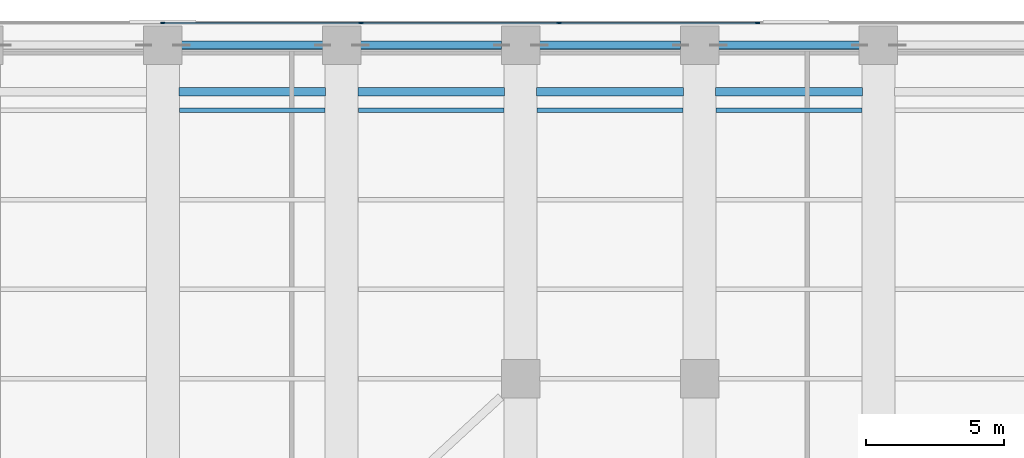
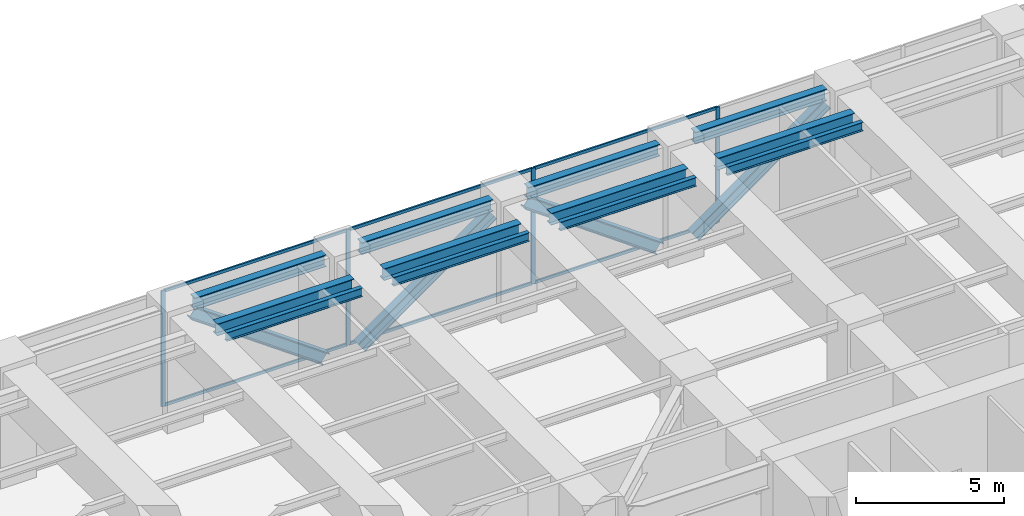
# One storey, part 12 of 31: 14 members, 12 beams, 1 element without a shape of its own.
"""IFC4 building model written with IfcOpenShell, lengths in metres."""

from ifc_helpers import new_model, si_unit, direction, frame, origin, origin_2d, place, context, subcontext, project, spatial, rectangle, i_section, extrude, material, layer, layer_set, material_profile, profile_set, type_object, element, aggregate, save


model = new_model("IFC4")

# Units and contexts
model_context = context("Model", 3, precision=1e-05, world=origin(), true_north=direction((0.0, 1.0)))
body_context = subcontext(model_context, "Body", "Model", "MODEL_VIEW")
ifc_project = project(units=[si_unit("LENGTHUNIT", "METRE"), si_unit("AREAUNIT", "SQUARE_METRE"), si_unit("VOLUMEUNIT", "CUBIC_METRE"), si_unit("PLANEANGLEUNIT", "RADIAN"), si_unit("MASSUNIT", "GRAM", prefix="KILO")], contexts=[model_context])

# Site, building, storey
site_placement = place(None, origin())
site = spatial("IfcSite", under=ifc_project, at=site_placement, CompositionType="ELEMENT")
building_placement = place(site_placement, origin())
building = spatial("IfcBuilding", under=site, at=building_placement, Name="Putna Gate Headquarters", CompositionType="ELEMENT")
storey_placement = place(building_placement, frame((0.0, 0.0, 81.0)))
storey = spatial("IfcBuildingStorey", under=building, at=storey_placement, Name="L19", CompositionType="ELEMENT", Elevation=81.0)

# Beams
ifc_material_1 = material(Name="Steel S355J2", Category="steel")
ifc_material_profile_1 = material_profile(ifc_material_1, i_section(OverallWidth=0.169921875, OverallDepth=0.360107421875, WebThickness=0.008056640625, FlangeThickness=0.0126953125, at=origin_2d()), Name="Steel S355J2")
ifc_profile_set_1 = profile_set([ifc_material_profile_1], Name="Steel S355J2")
beam_type_1 = type_object("IfcBeamType", Name="BM-SEC-Z2-IPE360", PredefinedType="BEAM", material=ifc_profile_set_1)
for number, where, z_axis, x_axis, name in (
    (1, (39.60400390625, 48.75, 4.5849609375), (1.0, 0.0, 0.0), (0.0, 1.0, 0.0), "L19 North Secondary Beam 6"),
    (2, (46.10400390625, 48.75, 4.5849609375), (1.0, 0.0, 0.0), (0.0, 1.0, 0.0), "L19 North Secondary Beam 7"),
    (3, (52.60400390625, 48.75, 4.5849609375), (1.0, 0.0, 0.0), (0.0, 1.0, 0.0), "L19 North Secondary Beam 8"),
    (4, (59.10400390625, 48.75, 4.5849609375), (1.0, 0.0, 0.0), (0.0, 1.0, 0.0), "L19 North Secondary Beam 9"),
):
    element("IfcBeam", number, at=place(storey_placement, frame(where, z_axis=z_axis, x_axis=x_axis)), inside=storey, type_object=beam_type_1, Name=name, PredefinedType="BEAM", context=body_context, shape_type="SweptSolid", body=[
        extrude(i_section(OverallWidth=0.169921875, OverallDepth=0.360107421875, WebThickness=0.008056640625, FlangeThickness=0.0126953125, at=origin_2d()), origin(), (0.0, 0.0, 1.0), 5.2919921875),
    ])
ifc_material_profile_2 = material_profile(ifc_material_1, i_section(OverallWidth=0.300048828125, OverallDepth=0.489990234375, WebThickness=0.011962890625, FlangeThickness=0.02294921875, at=origin_2d()), Name="Steel S355J2")
ifc_profile_set_2 = profile_set([ifc_material_profile_2], Name="Steel S355J2")
beam_type_2 = type_object("IfcBeamType", Name="BM-SPAN-Z2-HEA500", PredefinedType="SPANDREL", material=ifc_profile_set_2)
for number, where, z_axis, x_axis, name in (
    (5, (39.68798828125, 51.1201171875, 4.52001953125), (1.0, 0.0, 0.0), (0.0, 1.0, 0.0), "L19 N Perimeter Spandrel 6"),
    (6, (46.18798828125, 51.1201171875, 4.52001953125), (1.0, 0.0, 0.0), (0.0, 1.0, 0.0), "L19 N Perimeter Spandrel 7"),
    (7, (52.68798828125, 51.1201171875, 4.52001953125), (1.0, 0.0, 0.0), (0.0, 1.0, 0.0), "L19 N Perimeter Spandrel 8"),
    (8, (59.18798828125, 51.1201171875, 4.52001953125), (1.0, 0.0, 0.0), (0.0, 1.0, 0.0), "L19 N Perimeter Spandrel 9"),
):
    element("IfcBeam", number, at=place(storey_placement, frame(where, z_axis=z_axis, x_axis=x_axis)), inside=storey, type_object=beam_type_2, Name=name, PredefinedType="SPANDREL", context=body_context, shape_type="SweptSolid", body=[
        extrude(i_section(OverallWidth=0.300048828125, OverallDepth=0.489990234375, WebThickness=0.011962890625, FlangeThickness=0.02294921875, at=origin_2d()), origin(), (0.0, 0.0, 1.0), 5.1240234375),
    ])
for number, where, z_axis, x_axis, name in (
    (9, (39.5849609375, 49.419921875, 4.52001953125), (1.0, 0.0, 0.0), (0.0, 1.0, 0.0), "L19 Setback Edge Beam N6"),
    (10, (46.0849609375, 49.419921875, 4.52001953125), (1.0, 0.0, 0.0), (0.0, 1.0, 0.0), "L19 Setback Edge Beam N7"),
    (11, (52.5849609375, 49.419921875, 4.52001953125), (1.0, 0.0, 0.0), (0.0, 1.0, 0.0), "L19 Setback Edge Beam N8"),
    (12, (59.0849609375, 49.419921875, 4.52001953125), (1.0, 0.0, 0.0), (0.0, 1.0, 0.0), "L19 Setback Edge Beam N9"),
):
    element("IfcBeam", number, at=place(storey_placement, frame(where, z_axis=z_axis, x_axis=x_axis)), inside=storey, type_object=beam_type_2, Name=name, PredefinedType="SPANDREL", context=body_context, shape_type="SweptSolid", body=[
        extrude(i_section(OverallWidth=0.300048828125, OverallDepth=0.489990234375, WebThickness=0.011962890625, FlangeThickness=0.02294921875, at=origin_2d()), origin(), (0.0, 0.0, 1.0), 5.330078125),
    ])

# Members
ifc_material_2 = material(Name="Steel S460M", Category="steel")
ifc_material_profile_3 = material_profile(ifc_material_2, i_section(OverallWidth=0.306884765625, OverallDepth=0.47802734375, WebThickness=0.02099609375, FlangeThickness=0.0400390625, at=origin_2d()), Name="Steel S460M")
ifc_profile_set_3 = profile_set([ifc_material_profile_3], Name="Steel S460M")
member_type_1 = type_object("IfcMemberType", Name="MEM-BELT-DIAG-HEM450", PredefinedType="BRACE", material=ifc_profile_set_3)
for number, where, z_axis, x_axis, name in (
    (13, (39.68505859375, 51.1201171875, 4.114990234375), (0.813670670629, 0.0, -0.581326104487), (0.0, 1.0, 0.0), "L19 Belt Truss Diagonal N6"),
    (14, (46.18505859375, 51.1201171875, 0.449951171875), (0.813670670629, 0.0, 0.581326104487), (0.0, 1.0, 0.0), "L19 Belt Truss Diagonal N7"),
    (15, (52.68505859375, 51.1201171875, 4.114990234375), (0.813670670629, 0.0, -0.581326104487), (0.0, 1.0, 0.0), "L19 Belt Truss Diagonal N8"),
    (16, (59.18505859375, 51.1201171875, 0.449951171875), (0.813670670629, 0.0, 0.581326104487), (0.0, 1.0, 0.0), "L19 Belt Truss Diagonal N9"),
):
    element("IfcMember", number, at=place(storey_placement, frame(where, z_axis=z_axis, x_axis=x_axis)), inside=storey, type_object=member_type_1, Name=name, PredefinedType="BRACE", context=body_context, shape_type="SweptSolid", body=[
        extrude(i_section(OverallWidth=0.306884765625, OverallDepth=0.47802734375, WebThickness=0.02099609375, FlangeThickness=0.0400390625, at=origin_2d()), origin(), (0.0, 0.0, 1.0), 6.3046875),
    ])

# Curtain wall, members
ifc_material_3 = material(Name="Anodised bronze aluminium curtain wall", Category="aluminium")
ifc_layer = layer(ifc_material_3, 0.159912109375)
ifc_layer_set = layer_set([ifc_layer], Name="Anodised bronze aluminium curtain wall")
curtain_wall_type = type_object("IfcCurtainWallType", Name="CW-SYS-CRN", PredefinedType="USERDEFINED", material=ifc_layer_set)
curtain_wall_placement = place(storey_placement, origin())
curtain_wall = element("IfcCurtainWall", 17, at=curtain_wall_placement, inside=storey, type_object=curtain_wall_type, Name="L19 Acoustic Louvre North Enclosure", ObjectType="STICK CURTAIN WALL", PredefinedType="USERDEFINED")
ifc_material_4 = material(Name="Anodised bronze aluminium EN AW-6060", Category="aluminium")
ifc_material_profile_4 = material_profile(ifc_material_4, rectangle(XDim=0.06494140625, YDim=0.159912109375, at=origin_2d()), Name="Anodised bronze aluminium EN AW-6060")
ifc_profile_set_4 = profile_set([ifc_material_profile_4], Name="Anodised bronze aluminium EN AW-6060")
member_type_2 = type_object("IfcMemberType", Name="MULL-CWM-CR", PredefinedType="MULLION", material=ifc_profile_set_4)
member_1_placement = place(storey_placement, frame((39.0, 51.919921875, 0.0), z_axis=(0.0, 0.0, 1.0), x_axis=(0.0, 1.0, 0.0)))
member_1 = element("IfcMember", 18, at=member_1_placement, type_object=member_type_2, Name="CWS-CR mullion 6", PredefinedType="MULLION", context=body_context, shape_type="SweptSolid", body=[
    extrude(rectangle(XDim=0.06494140625, YDim=0.159912109375, at=origin_2d()), origin(), (0.0, 0.0, 1.0), 4.764892578125),
])
member_2_placement = place(storey_placement, frame((46.199951171875, 51.919921875, 0.0), z_axis=(0.0, 0.0, 1.0), x_axis=(0.0, 1.0, 0.0)))
member_2 = element("IfcMember", 19, at=member_2_placement, type_object=member_type_2, Name="CWS-CR mullion 7", PredefinedType="MULLION", context=body_context, shape_type="SweptSolid", body=[
    extrude(rectangle(XDim=0.06494140625, YDim=0.159912109375, at=origin_2d()), origin(), (0.0, 0.0, 1.0), 4.764892578125),
])
member_3_placement = place(storey_placement, frame((53.39990234375, 51.919921875, 0.0), z_axis=(0.0, 0.0, 1.0), x_axis=(0.0, 1.0, 0.0)))
member_3 = element("IfcMember", 20, at=member_3_placement, type_object=member_type_2, Name="CWS-CR mullion 8", PredefinedType="MULLION", context=body_context, shape_type="SweptSolid", body=[
    extrude(rectangle(XDim=0.06494140625, YDim=0.159912109375, at=origin_2d()), origin(), (0.0, 0.0, 1.0), 4.764892578125),
])
member_4_placement = place(storey_placement, frame((60.60009765625, 51.919921875, 0.0), z_axis=(0.0, 0.0, 1.0), x_axis=(0.0, 1.0, 0.0)))
member_4 = element("IfcMember", 21, at=member_4_placement, type_object=member_type_2, Name="CWS-CR mullion 9", PredefinedType="MULLION", context=body_context, shape_type="SweptSolid", body=[
    extrude(rectangle(XDim=0.06494140625, YDim=0.159912109375, at=origin_2d()), origin(), (0.0, 0.0, 1.0), 4.764892578125),
])
ifc_material_profile_5 = material_profile(ifc_material_4, rectangle(XDim=0.06494140625, YDim=0.1201171875, at=origin_2d()), Name="Anodised bronze aluminium EN AW-6060")
ifc_profile_set_5 = profile_set([ifc_material_profile_5], Name="Anodised bronze aluminium EN AW-6060")
member_type_3 = type_object("IfcMemberType", Name="TRAN-CWT-CR", PredefinedType="USERDEFINED", material=ifc_profile_set_5)
member_5_placement = place(storey_placement, frame((39.032470703125, 51.919921875, 0.032470703125), z_axis=(1.0, 0.0, 0.0), x_axis=(0.0, 1.0, 0.0)))
member_5 = element("IfcMember", 22, at=member_5_placement, type_object=member_type_3, Name="CWS-CR transom 6.1", ObjectType="TRANSOM", PredefinedType="USERDEFINED", context=body_context, shape_type="SweptSolid", body=[
    extrude(rectangle(XDim=0.06494140625, YDim=0.1201171875, at=origin_2d()), origin(), (0.0, 0.0, 1.0), 7.135009765625),
])
member_6_placement = place(storey_placement, frame((39.032470703125, 51.919921875, 4.732421875), z_axis=(1.0, 0.0, 0.0), x_axis=(0.0, 1.0, 0.0)))
member_6 = element("IfcMember", 23, at=member_6_placement, type_object=member_type_3, Name="CWS-CR transom 6.2", ObjectType="TRANSOM", PredefinedType="USERDEFINED", context=body_context, shape_type="SweptSolid", body=[
    extrude(rectangle(XDim=0.06494140625, YDim=0.1201171875, at=origin_2d()), origin(), (0.0, 0.0, 1.0), 7.135009765625),
])
member_7_placement = place(storey_placement, frame((46.232421875, 51.919921875, 0.032470703125), z_axis=(1.0, 0.0, 0.0), x_axis=(0.0, 1.0, 0.0)))
member_7 = element("IfcMember", 24, at=member_7_placement, type_object=member_type_3, Name="CWS-CR transom 7.1", ObjectType="TRANSOM", PredefinedType="USERDEFINED", context=body_context, shape_type="SweptSolid", body=[
    extrude(rectangle(XDim=0.06494140625, YDim=0.1201171875, at=origin_2d()), origin(), (0.0, 0.0, 1.0), 7.135009765625),
])
member_8_placement = place(storey_placement, frame((46.232421875, 51.919921875, 4.732421875), z_axis=(1.0, 0.0, 0.0), x_axis=(0.0, 1.0, 0.0)))
member_8 = element("IfcMember", 25, at=member_8_placement, type_object=member_type_3, Name="CWS-CR transom 7.2", ObjectType="TRANSOM", PredefinedType="USERDEFINED", context=body_context, shape_type="SweptSolid", body=[
    extrude(rectangle(XDim=0.06494140625, YDim=0.1201171875, at=origin_2d()), origin(), (0.0, 0.0, 1.0), 7.135009765625),
])
member_9_placement = place(storey_placement, frame((53.4326171875, 51.919921875, 0.032470703125), z_axis=(1.0, 0.0, 0.0), x_axis=(0.0, 1.0, 0.0)))
member_9 = element("IfcMember", 26, at=member_9_placement, type_object=member_type_3, Name="CWS-CR transom 8.1", ObjectType="TRANSOM", PredefinedType="USERDEFINED", context=body_context, shape_type="SweptSolid", body=[
    extrude(rectangle(XDim=0.06494140625, YDim=0.1201171875, at=origin_2d()), origin(), (0.0, 0.0, 1.0), 7.134765625),
])
member_10_placement = place(storey_placement, frame((53.4326171875, 51.919921875, 4.732421875), z_axis=(1.0, 0.0, 0.0), x_axis=(0.0, 1.0, 0.0)))
member_10 = element("IfcMember", 27, at=member_10_placement, type_object=member_type_3, Name="CWS-CR transom 8.2", ObjectType="TRANSOM", PredefinedType="USERDEFINED", context=body_context, shape_type="SweptSolid", body=[
    extrude(rectangle(XDim=0.06494140625, YDim=0.1201171875, at=origin_2d()), origin(), (0.0, 0.0, 1.0), 7.134765625),
])
aggregate(curtain_wall, [member_1, member_2, member_3, member_4, member_5, member_6, member_7, member_8, member_9, member_10])

save(model, "model.ifc")
